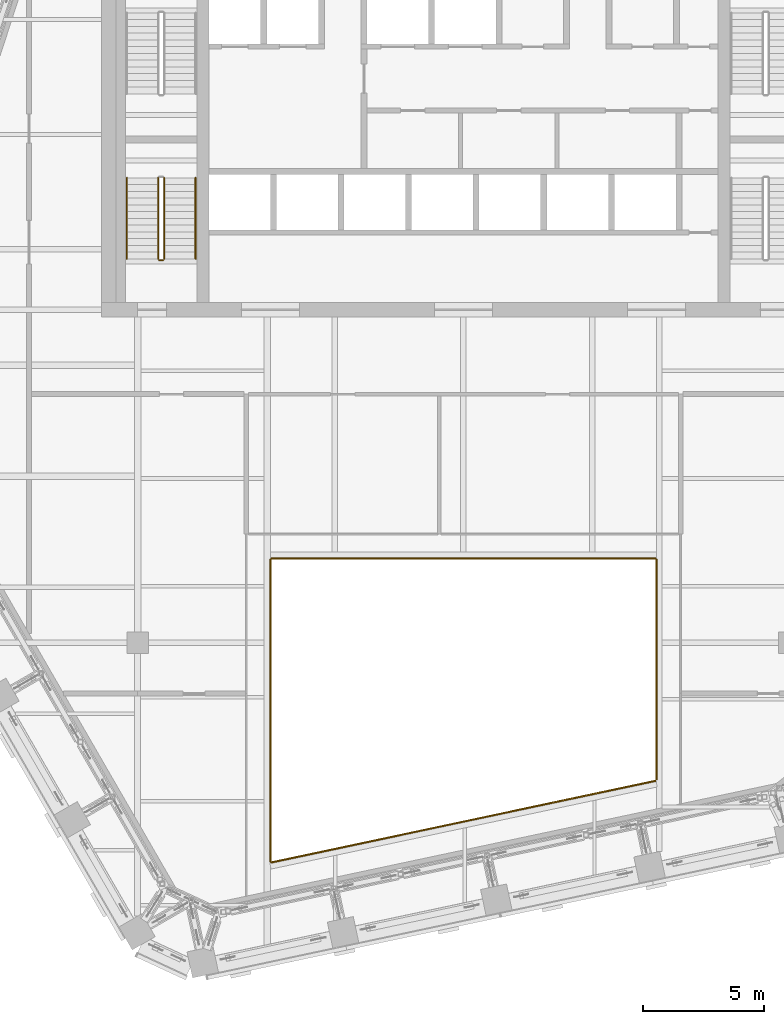
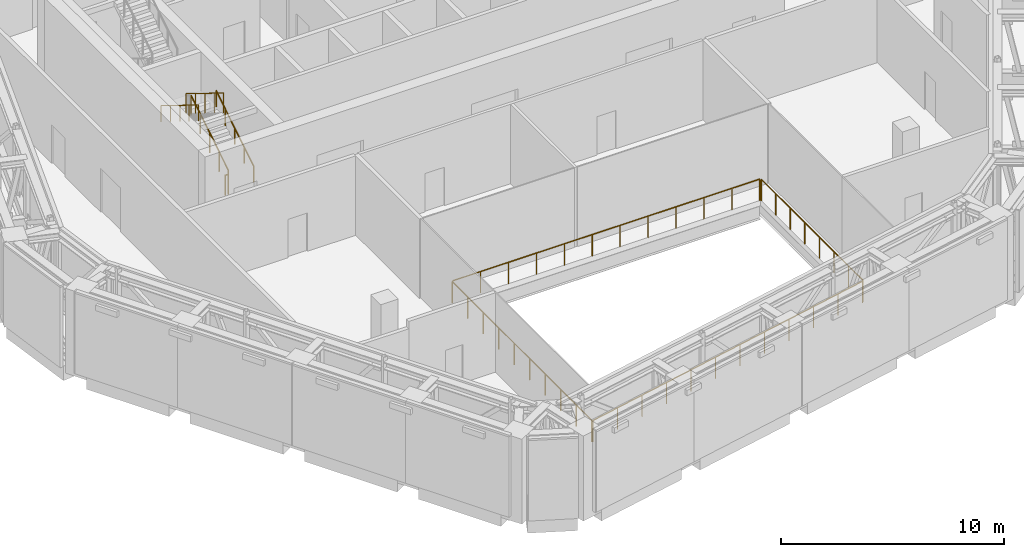
# One storey, part 24 of 25: 9 railings.
"""IFC4 building model written with IfcOpenShell, lengths in metres."""

from ifc_helpers import new_model, si_unit, direction, frame, origin, origin_2d, place, context, subcontext, project, spatial, circle, extrude, material, type_object, element, save


model = new_model("IFC4")

# Units and contexts
model_context = context("Model", 3, precision=1e-05, world=origin(), true_north=direction((0.0, 1.0)))
body_context = subcontext(model_context, "Body", "Model", "MODEL_VIEW")
ifc_project = project(units=[si_unit("LENGTHUNIT", "METRE"), si_unit("AREAUNIT", "SQUARE_METRE"), si_unit("VOLUMEUNIT", "CUBIC_METRE"), si_unit("PLANEANGLEUNIT", "RADIAN"), si_unit("MASSUNIT", "GRAM", prefix="KILO")], contexts=[model_context])

# Site, building, storey
site_placement = place(None, origin())
site = spatial("IfcSite", under=ifc_project, at=site_placement, CompositionType="ELEMENT")
building_placement = place(site_placement, origin())
building = spatial("IfcBuilding", under=site, at=building_placement, Name="Isthmus Gate Tower", CompositionType="ELEMENT")
storey_placement = place(building_placement, frame((0.0, 0.0, 256.449951171875)))
storey = spatial("IfcBuildingStorey", under=building, at=storey_placement, Name="L65", CompositionType="ELEMENT", Elevation=256.449951171875)

# Railings
ifc_material_1 = material(Name="Toughened laminated glass with stainless steel handrail", Category="steel")
railing_type_1 = type_object("IfcRailingType", Name="Atrium glass guard 1200", PredefinedType="GUARDRAIL", material=ifc_material_1)
railing_1_placement = place(storey_placement, frame((-7.951171875, -22.6005859375, 0.0)))
element("IfcRailing", 1, at=railing_1_placement, inside=storey, type_object=railing_type_1, Name="L65 atrium glass guard 1", PredefinedType="GUARDRAIL", context=body_context, shape_type="SweptSolid", body=[
    extrude(circle(Radius=0.030029296875, at=origin_2d()), frame((0.0, 0.0, 1.169921875), z_axis=(0.978150911752, 0.207896113091, 0.0), x_axis=(-0.207896113091, 0.978150911752, 0.0)), (0.0, 0.0, 1.0), 16.257568359375),
    extrude(circle(Radius=0.02490234375, at=origin_2d()), origin(), (0.0, 0.0, 1.0), 1.139892578125),
    extrude(circle(Radius=0.02490234375, at=origin_2d()), frame((1.445556640625, 0.307373046875, 0.0)), (0.0, 0.0, 1.0), 1.139892578125),
    extrude(circle(Radius=0.02490234375, at=origin_2d()), frame((2.891357421875, 0.614501953125, 0.0)), (0.0, 0.0, 1.0), 1.139892578125),
    extrude(circle(Radius=0.02490234375, at=origin_2d()), frame((4.3369140625, 0.921875, 0.0)), (0.0, 0.0, 1.0), 1.139892578125),
    extrude(circle(Radius=0.02490234375, at=origin_2d()), frame((5.78271484375, 1.22900390625, 0.0)), (0.0, 0.0, 1.0), 1.139892578125),
    extrude(circle(Radius=0.02490234375, at=origin_2d()), frame((7.228271484375, 1.536376953125, 0.0)), (0.0, 0.0, 1.0), 1.139892578125),
    extrude(circle(Radius=0.02490234375, at=origin_2d()), frame((8.674072265625, 1.843505859375, 0.0)), (0.0, 0.0, 1.0), 1.139892578125),
    extrude(circle(Radius=0.02490234375, at=origin_2d()), frame((10.11962890625, 2.15087890625, 0.0)), (0.0, 0.0, 1.0), 1.139892578125),
    extrude(circle(Radius=0.02490234375, at=origin_2d()), frame((11.5654296875, 2.4580078125, 0.0)), (0.0, 0.0, 1.0), 1.139892578125),
    extrude(circle(Radius=0.02490234375, at=origin_2d()), frame((13.010986328125, 2.765380859375, 0.0)), (0.0, 0.0, 1.0), 1.139892578125),
    extrude(circle(Radius=0.02490234375, at=origin_2d()), frame((14.456787109375, 3.072509765625, 0.0)), (0.0, 0.0, 1.0), 1.139892578125),
    extrude(circle(Radius=0.02490234375, at=origin_2d()), frame((15.90234375, 3.3798828125, 0.0)), (0.0, 0.0, 1.0), 1.139892578125),
])
railing_2_placement = place(storey_placement, frame((8.0, -19.16015625, 0.0)))
element("IfcRailing", 2, at=railing_2_placement, inside=storey, type_object=railing_type_1, Name="L65 atrium glass guard 2", PredefinedType="GUARDRAIL", context=body_context, shape_type="SweptSolid", body=[
    extrude(circle(Radius=0.030029296875, at=origin_2d()), frame((0.0, 0.0, 1.169921875), z_axis=(0.0, 1.0, 0.0), x_axis=(-1.0, 0.0, 0.0)), (0.0, 0.0, 1.0), 9.110107421875),
    extrude(circle(Radius=0.02490234375, at=origin_2d()), origin(), (0.0, 0.0, 1.0), 1.139892578125),
    extrude(circle(Radius=0.02490234375, at=origin_2d()), frame((0.0, 1.301513671875, 0.0)), (0.0, 0.0, 1.0), 1.139892578125),
    extrude(circle(Radius=0.02490234375, at=origin_2d()), frame((0.0, 2.602783203125, 0.0)), (0.0, 0.0, 1.0), 1.139892578125),
    extrude(circle(Radius=0.02490234375, at=origin_2d()), frame((0.0, 3.904296875, 0.0)), (0.0, 0.0, 1.0), 1.139892578125),
    extrude(circle(Radius=0.02490234375, at=origin_2d()), frame((0.0, 5.205810546875, 0.0)), (0.0, 0.0, 1.0), 1.139892578125),
    extrude(circle(Radius=0.02490234375, at=origin_2d()), frame((0.0, 6.50732421875, 0.0)), (0.0, 0.0, 1.0), 1.139892578125),
    extrude(circle(Radius=0.02490234375, at=origin_2d()), frame((0.0, 7.80859375, 0.0)), (0.0, 0.0, 1.0), 1.139892578125),
    extrude(circle(Radius=0.02490234375, at=origin_2d()), frame((0.0, 9.110107421875, 0.0)), (0.0, 0.0, 1.0), 1.139892578125),
])
railing_3_placement = place(storey_placement, frame((7.949951171875, -10.0, 0.0)))
element("IfcRailing", 3, at=railing_3_placement, inside=storey, type_object=railing_type_1, Name="L65 atrium glass guard 3", PredefinedType="GUARDRAIL", context=body_context, shape_type="SweptSolid", body=[
    extrude(circle(Radius=0.030029296875, at=origin_2d()), frame((0.0, 0.0, 1.169921875), z_axis=(-1.0, 0.0, 0.0), x_axis=(0.0, -1.0, 0.0)), (0.0, 0.0, 1.0), 15.89990234375),
    extrude(circle(Radius=0.02490234375, at=origin_2d()), origin(), (0.0, 0.0, 1.0), 1.139892578125),
    extrude(circle(Radius=0.02490234375, at=origin_2d()), frame((-1.445556640625, 0.0, 0.0)), (0.0, 0.0, 1.0), 1.139892578125),
    extrude(circle(Radius=0.02490234375, at=origin_2d()), frame((-2.890869140625, 0.0, 0.0)), (0.0, 0.0, 1.0), 1.139892578125),
    extrude(circle(Radius=0.02490234375, at=origin_2d()), frame((-4.33642578125, 0.0, 0.0)), (0.0, 0.0, 1.0), 1.139892578125),
    extrude(circle(Radius=0.02490234375, at=origin_2d()), frame((-5.78173828125, 0.0, 0.0)), (0.0, 0.0, 1.0), 1.139892578125),
    extrude(circle(Radius=0.02490234375, at=origin_2d()), frame((-7.227294921875, 0.0, 0.0)), (0.0, 0.0, 1.0), 1.139892578125),
    extrude(circle(Radius=0.02490234375, at=origin_2d()), frame((-8.672607421875, 0.0, 0.0)), (0.0, 0.0, 1.0), 1.139892578125),
    extrude(circle(Radius=0.02490234375, at=origin_2d()), frame((-10.1181640625, 0.0, 0.0)), (0.0, 0.0, 1.0), 1.139892578125),
    extrude(circle(Radius=0.02490234375, at=origin_2d()), frame((-11.5634765625, 0.0, 0.0)), (0.0, 0.0, 1.0), 1.139892578125),
    extrude(circle(Radius=0.02490234375, at=origin_2d()), frame((-13.009033203125, 0.0, 0.0)), (0.0, 0.0, 1.0), 1.139892578125),
    extrude(circle(Radius=0.02490234375, at=origin_2d()), frame((-14.454345703125, 0.0, 0.0)), (0.0, 0.0, 1.0), 1.139892578125),
    extrude(circle(Radius=0.02490234375, at=origin_2d()), frame((-15.89990234375, 0.0, 0.0)), (0.0, 0.0, 1.0), 1.139892578125),
])
railing_4_placement = place(storey_placement, frame((-8.0, -10.050048828125, 0.0)))
element("IfcRailing", 4, at=railing_4_placement, inside=storey, type_object=railing_type_1, Name="L65 atrium glass guard 4", PredefinedType="GUARDRAIL", context=body_context, shape_type="SweptSolid", body=[
    extrude(circle(Radius=0.030029296875, at=origin_2d()), frame((0.0, 0.0, 1.169921875), z_axis=(0.0, -1.0, 0.0), x_axis=(1.0, 0.0, 0.0)), (0.0, 0.0, 1.0), 12.510986328125),
    extrude(circle(Radius=0.02490234375, at=origin_2d()), origin(), (0.0, 0.0, 1.0), 1.139892578125),
    extrude(circle(Radius=0.02490234375, at=origin_2d()), frame((0.0, -1.39013671875, 0.0)), (0.0, 0.0, 1.0), 1.139892578125),
    extrude(circle(Radius=0.02490234375, at=origin_2d()), frame((0.0, -2.7802734375, 0.0)), (0.0, 0.0, 1.0), 1.139892578125),
    extrude(circle(Radius=0.02490234375, at=origin_2d()), frame((0.0, -4.17041015625, 0.0)), (0.0, 0.0, 1.0), 1.139892578125),
    extrude(circle(Radius=0.02490234375, at=origin_2d()), frame((0.0, -5.560546875, 0.0)), (0.0, 0.0, 1.0), 1.139892578125),
    extrude(circle(Radius=0.02490234375, at=origin_2d()), frame((0.0, -6.950439453125, 0.0)), (0.0, 0.0, 1.0), 1.139892578125),
    extrude(circle(Radius=0.02490234375, at=origin_2d()), frame((0.0, -8.340576171875, 0.0)), (0.0, 0.0, 1.0), 1.139892578125),
    extrude(circle(Radius=0.02490234375, at=origin_2d()), frame((0.0, -9.730712890625, 0.0)), (0.0, 0.0, 1.0), 1.139892578125),
    extrude(circle(Radius=0.02490234375, at=origin_2d()), frame((0.0, -11.120849609375, 0.0)), (0.0, 0.0, 1.0), 1.139892578125),
    extrude(circle(Radius=0.02490234375, at=origin_2d()), frame((0.0, -12.510986328125, 0.0)), (0.0, 0.0, 1.0), 1.139892578125),
])
ifc_material_2 = material(Name="Stainless steel balustrade", Category="steel")
railing_type_2 = type_object("IfcRailingType", Name="STAIR GUARD 1100", PredefinedType="GUARDRAIL", material=ifc_material_2)
railing_5_placement = place(storey_placement, frame((-12.39990234375, 2.39990234375, 0.173095703125)))
element("IfcRailing", 5, at=railing_5_placement, inside=storey, type_object=railing_type_2, Name="L65 ST7 stair guard 1", PredefinedType="GUARDRAIL", context=body_context, shape_type="SweptSolid", body=[
    extrude(circle(Radius=0.02392578125, at=origin_2d()), frame((0.0, 0.0, 1.076171875), z_axis=(0.0, 0.850623216509, 0.525775754039), x_axis=(-1.0, 0.0, 0.0)), (0.0, 0.0, 1.0), 3.9501953125),
    extrude(circle(Radius=0.02099609375, at=origin_2d()), origin(), (0.0, 0.0, 1.0), 1.052001953125),
    extrude(circle(Radius=0.02099609375, at=origin_2d()), frame((0.0, 0.840087890625, 0.519287109375)), (0.0, 0.0, 1.0), 1.052001953125),
    extrude(circle(Radius=0.02099609375, at=origin_2d()), frame((0.0, 1.68017578125, 1.03857421875)), (0.0, 0.0, 1.0), 1.052001953125),
    extrude(circle(Radius=0.02099609375, at=origin_2d()), frame((0.0, 2.52001953125, 1.5576171875)), (0.0, 0.0, 1.0), 1.052001953125),
    extrude(circle(Radius=0.02099609375, at=origin_2d()), frame((0.0, 3.360107421875, 2.076904296875)), (0.0, 0.0, 1.0), 1.052001953125),
])
railing_6_placement = place(storey_placement, frame((-12.64990234375, 5.760009765625, 2.423095703125)))
element("IfcRailing", 6, at=railing_6_placement, inside=storey, type_object=railing_type_2, Name="L65 ST7 stair guard 3", PredefinedType="GUARDRAIL", context=body_context, shape_type="SweptSolid", body=[
    extrude(circle(Radius=0.02392578125, at=origin_2d()), frame((0.0, 0.0, 1.076171875), z_axis=(0.0, -0.850623216509, 0.525775754039), x_axis=(1.0, 0.0, 0.0)), (0.0, 0.0, 1.0), 3.9501953125),
    extrude(circle(Radius=0.02099609375, at=origin_2d()), origin(), (0.0, 0.0, 1.0), 1.052001953125),
    extrude(circle(Radius=0.02099609375, at=origin_2d()), frame((0.0, -0.840087890625, 0.519287109375)), (0.0, 0.0, 1.0), 1.052001953125),
    extrude(circle(Radius=0.02099609375, at=origin_2d()), frame((0.0, -1.68017578125, 1.03857421875)), (0.0, 0.0, 1.0), 1.052001953125),
    extrude(circle(Radius=0.02099609375, at=origin_2d()), frame((0.0, -2.52001953125, 1.5576171875)), (0.0, 0.0, 1.0), 1.052001953125),
    extrude(circle(Radius=0.02099609375, at=origin_2d()), frame((0.0, -3.360107421875, 2.076904296875)), (0.0, 0.0, 1.0), 1.052001953125),
])
railing_7_placement = place(storey_placement, frame((-12.449951171875, 2.35009765625, 0.0)))
element("IfcRailing", 7, at=railing_7_placement, inside=storey, type_object=railing_type_2, Name="L65 ST7 stair guard 4", PredefinedType="GUARDRAIL", context=body_context, shape_type="SweptSolid", body=[
    extrude(circle(Radius=0.02392578125, at=origin_2d()), frame((0.0, 0.0, 1.076171875), z_axis=(-1.0, 0.0, 0.0), x_axis=(0.0, -1.0, 0.0)), (0.0, 0.0, 1.0), 0.150146484375),
    extrude(circle(Radius=0.02099609375, at=origin_2d()), origin(), (0.0, 0.0, 1.0), 1.052001953125),
    extrude(circle(Radius=0.02099609375, at=origin_2d()), frame((-0.150146484375, 0.0, 0.0)), (0.0, 0.0, 1.0), 1.052001953125),
])
ifc_material_3 = material(Name="Stainless steel handrail", Category="steel")
railing_type_3 = type_object("IfcRailingType", Name="STAIR HANDRAIL 900", PredefinedType="HANDRAIL", material=ifc_material_3)
railing_8_placement = place(storey_placement, frame((-11.10009765625, 2.39990234375, 0.173095703125)))
element("IfcRailing", 8, at=railing_8_placement, inside=storey, type_object=railing_type_3, Name="L65 ST7 stair handrail 1", PredefinedType="HANDRAIL", context=body_context, shape_type="SweptSolid", body=[
    extrude(circle(Radius=0.02392578125, at=origin_2d()), frame((0.0, 0.0, 0.8759765625), z_axis=(0.0, 0.850623216509, 0.525775754039), x_axis=(-1.0, 0.0, 0.0)), (0.0, 0.0, 1.0), 3.9501953125),
    extrude(circle(Radius=0.02099609375, at=origin_2d()), origin(), (0.0, 0.0, 1.0), 0.851806640625),
    extrude(circle(Radius=0.02099609375, at=origin_2d()), frame((0.0, 0.840087890625, 0.519287109375)), (0.0, 0.0, 1.0), 0.851806640625),
    extrude(circle(Radius=0.02099609375, at=origin_2d()), frame((0.0, 1.68017578125, 1.03857421875)), (0.0, 0.0, 1.0), 0.851806640625),
    extrude(circle(Radius=0.02099609375, at=origin_2d()), frame((0.0, 2.52001953125, 1.5576171875)), (0.0, 0.0, 1.0), 0.851806640625),
    extrude(circle(Radius=0.02099609375, at=origin_2d()), frame((0.0, 3.360107421875, 2.076904296875)), (0.0, 0.0, 1.0), 0.851806640625),
])
railing_9_placement = place(storey_placement, frame((-13.949951171875, 5.760009765625, 2.423095703125)))
element("IfcRailing", 9, at=railing_9_placement, inside=storey, type_object=railing_type_3, Name="L65 ST7 stair handrail 2", PredefinedType="HANDRAIL", context=body_context, shape_type="SweptSolid", body=[
    extrude(circle(Radius=0.02392578125, at=origin_2d()), frame((0.0, 0.0, 0.8759765625), z_axis=(0.0, -0.850623216509, 0.525775754039), x_axis=(1.0, 0.0, 0.0)), (0.0, 0.0, 1.0), 3.9501953125),
    extrude(circle(Radius=0.02099609375, at=origin_2d()), origin(), (0.0, 0.0, 1.0), 0.851806640625),
    extrude(circle(Radius=0.02099609375, at=origin_2d()), frame((0.0, -0.840087890625, 0.519287109375)), (0.0, 0.0, 1.0), 0.851806640625),
    extrude(circle(Radius=0.02099609375, at=origin_2d()), frame((0.0, -1.68017578125, 1.03857421875)), (0.0, 0.0, 1.0), 0.851806640625),
    extrude(circle(Radius=0.02099609375, at=origin_2d()), frame((0.0, -2.52001953125, 1.5576171875)), (0.0, 0.0, 1.0), 0.851806640625),
    extrude(circle(Radius=0.02099609375, at=origin_2d()), frame((0.0, -3.360107421875, 2.076904296875)), (0.0, 0.0, 1.0), 0.851806640625),
])

save(model, "model.ifc")
